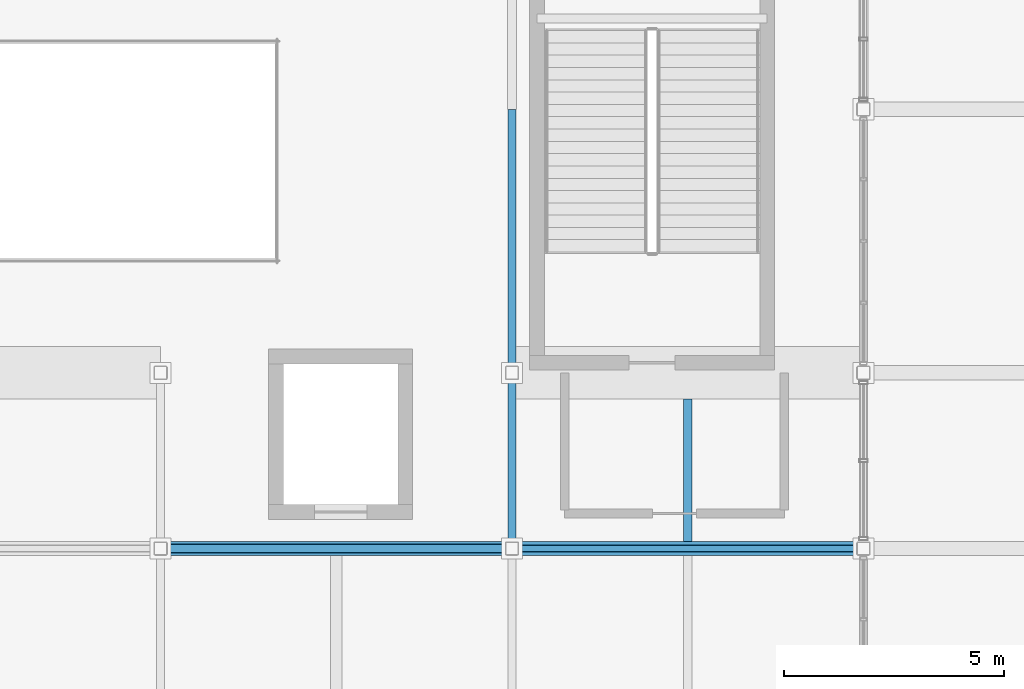
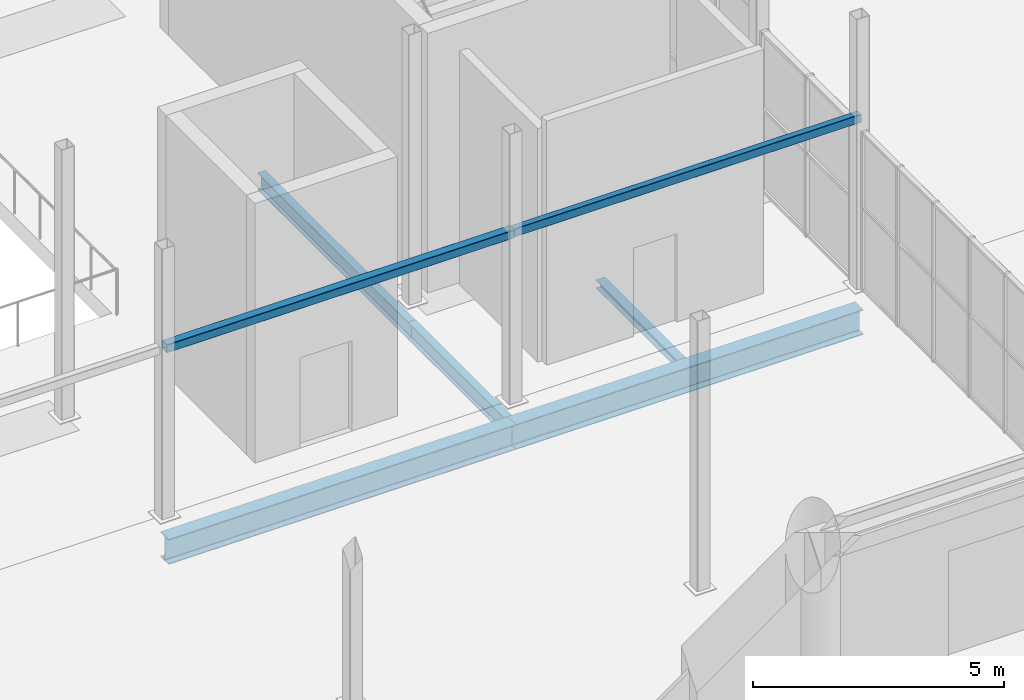
# One storey, part 32 of 140: 7 beams.
"""IFC4 building model written with IfcOpenShell, lengths in metres."""

from ifc_helpers import new_model, si_unit, direction, frame, origin, origin_2d, place, context, subcontext, project, spatial, hollow_rectangle, i_section, extrude, material, material_profile, profile_set, type_object, element, save


model = new_model("IFC4")

# Units and contexts
model_context = context("Model", 3, precision=1e-05, world=origin(), true_north=direction((0.0, 1.0)))
body_context = subcontext(model_context, "Body", "Model", "MODEL_VIEW")
ifc_project = project(units=[si_unit("LENGTHUNIT", "METRE"), si_unit("AREAUNIT", "SQUARE_METRE"), si_unit("VOLUMEUNIT", "CUBIC_METRE"), si_unit("PLANEANGLEUNIT", "RADIAN"), si_unit("MASSUNIT", "GRAM", prefix="KILO")], contexts=[model_context])

# Site, building, storey
site_placement = place(None, origin())
site = spatial("IfcSite", under=ifc_project, at=site_placement, CompositionType="ELEMENT")
building_placement = place(site_placement, origin())
building = spatial("IfcBuilding", under=site, at=building_placement, Name="Verrall Gate Interchange", CompositionType="ELEMENT")
storey_placement = place(building_placement, origin())
storey = spatial("IfcBuildingStorey", under=building, at=storey_placement, Name="L01", CompositionType="ELEMENT", Elevation=0.0)

# Beams
ifc_material_1 = material(Name="Structural Steel CSA G40.21 350WT Cat 4", Category="steel")
ifc_material_profile_1 = material_profile(ifc_material_1, i_section(OverallWidth=0.323974609375, OverallDepth=0.611083984375, WebThickness=0.0126953125, FlangeThickness=0.01904296875, FilletRadius=0.014892578125, at=origin_2d()), Name="W610x155")
ifc_profile_set_1 = profile_set([ifc_material_profile_1], Name="Structural Steel CSA G40.21 350WT Cat 4")
beam_type_1 = type_object("IfcBeamType", Name="B-08 Structural Beam W610x155", PredefinedType="BEAM", material=ifc_profile_set_1)
for number, where, z_axis, x_axis, name in (
    (1, (92.0, 12.0, -0.805419921875), (1.0, 0.0, 0.0), (0.0, 1.0, 0.0), "L01 Girder BM-L01-0777 (B-08)"),
    (2, (100.0, 12.0, -0.805419921875), (1.0, 0.0, 0.0), (0.0, 1.0, 0.0), "L01 Girder BM-L01-0778 (B-08)"),
):
    element("IfcBeam", number, at=place(storey_placement, frame(where, z_axis=z_axis, x_axis=x_axis)), inside=storey, type_object=beam_type_1, Name=name, PredefinedType="BEAM", context=body_context, shape_type="SweptSolid", body=[
        extrude(i_section(OverallWidth=0.323974609375, OverallDepth=0.611083984375, WebThickness=0.0126953125, FlangeThickness=0.01904296875, FilletRadius=0.014892578125, at=origin_2d()), origin(), (0.0, 0.0, 1.0), 8.0),
    ])
ifc_material_2 = material(Name="Structural Steel CSA G40.21 350W", Category="steel")
ifc_material_profile_2 = material_profile(ifc_material_2, i_section(OverallWidth=0.178955078125, OverallDepth=0.409912109375, WebThickness=0.0087890625, FlangeThickness=0.014404296875, FilletRadius=0.011962890625, at=origin_2d()), Name="W410x67")
ifc_profile_set_2 = profile_set([ifc_material_profile_2], Name="Structural Steel CSA G40.21 350W")
beam_type_2 = type_object("IfcBeamType", Name="B-12 Structural Beam W410x67", PredefinedType="BEAM", material=ifc_profile_set_2)
beam_1_placement = place(storey_placement, frame((100.0, 12.0, -0.705078125), z_axis=(0.0, 1.0, 0.0), x_axis=(-1.0, 0.0, 0.0)))
element("IfcBeam", 3, at=beam_1_placement, inside=storey, type_object=beam_type_2, Name="L01 Girder BM-L01-1160 (B-12)", PredefinedType="BEAM", context=body_context, shape_type="SweptSolid", body=[
    extrude(i_section(OverallWidth=0.178955078125, OverallDepth=0.409912109375, WebThickness=0.0087890625, FlangeThickness=0.014404296875, FilletRadius=0.011962890625, at=origin_2d()), origin(), (0.0, 0.0, 1.0), 4.0),
])
beam_2_placement = place(storey_placement, frame((100.0, 16.0, -0.705078125), z_axis=(0.0, 1.0, 0.0), x_axis=(-1.0, 0.0, 0.0)))
element("IfcBeam", 4, at=beam_2_placement, inside=storey, type_object=beam_type_2, Name="L01 Girder BM-L01-1161 (B-12)", PredefinedType="BEAM", context=body_context, shape_type="SweptSolid", body=[
    extrude(i_section(OverallWidth=0.178955078125, OverallDepth=0.409912109375, WebThickness=0.0087890625, FlangeThickness=0.014404296875, FilletRadius=0.011962890625, at=origin_2d()), origin(), (0.0, 0.0, 1.0), 6.0),
])
ifc_material_3 = material(Name="Structural Steel CSA G40.21 350W", Category="steel")
ifc_material_profile_3 = material_profile(ifc_material_3, i_section(OverallWidth=0.202880859375, OverallDepth=0.202880859375, WebThickness=0.007080078125, FlangeThickness=0.010986328125, FilletRadius=0.010009765625, at=origin_2d()), Name="W200x46")
ifc_profile_set_3 = profile_set([ifc_material_profile_3], Name="Structural Steel CSA G40.21 350W")
beam_type_3 = type_object("IfcBeamType", Name="J-07 Floor Joist W200x46", PredefinedType="JOIST", material=ifc_profile_set_3)
beam_3_placement = place(storey_placement, frame((104.0, 12.162109375, -0.6015625), z_axis=(0.0, 1.0, 0.0), x_axis=(-1.0, 0.0, 0.0)))
element("IfcBeam", 5, at=beam_3_placement, inside=storey, type_object=beam_type_3, Name="L01 Secondary Floor Joist JST-L01-1289", PredefinedType="JOIST", context=body_context, shape_type="SweptSolid", body=[
    extrude(i_section(OverallWidth=0.202880859375, OverallDepth=0.202880859375, WebThickness=0.007080078125, FlangeThickness=0.010986328125, FilletRadius=0.010009765625, at=origin_2d()), origin(), (0.0, 0.0, 1.0), 3.23779296875),
])
ifc_material_4 = material(Name="Structural Steel CSA G40.21 350W", Category="steel")
ifc_material_profile_4 = material_profile(ifc_material_4, hollow_rectangle(XDim=0.152099609375, YDim=0.202880859375, WallThickness=0.008056640625, InnerFilletRadius=0.008056640625, OuterFilletRadius=0.015869140625, at=origin_2d()), Name="HSS203x152x8.0")
ifc_profile_set_4 = profile_set([ifc_material_profile_4], Name="Structural Steel CSA G40.21 350W")
beam_type_4 = type_object("IfcBeamType", Name="LN-02 Portal Lintel HSS203x152x8.0", PredefinedType="LINTEL", material=ifc_profile_set_4)
beam_4_placement = place(storey_placement, frame((100.0, 12.0, 4.10009765625), z_axis=(1.0, 0.0, 0.0), x_axis=(0.0, 1.0, 0.0)))
element("IfcBeam", 6, at=beam_4_placement, inside=storey, type_object=beam_type_4, Name="Classical Portal Lintel 018", PredefinedType="LINTEL", context=body_context, shape_type="SweptSolid", body=[
    extrude(hollow_rectangle(XDim=0.152099609375, YDim=0.202880859375, WallThickness=0.008056640625, InnerFilletRadius=0.008056640625, OuterFilletRadius=0.015869140625, at=origin_2d()), origin(), (0.0, 0.0, 1.0), 8.0),
])
ifc_material_5 = material(Name="Structural Steel CSA G40.21 350W", Category="steel")
ifc_material_profile_5 = material_profile(ifc_material_5, hollow_rectangle(XDim=0.202880859375, YDim=0.202880859375, WallThickness=0.009521484375, InnerFilletRadius=0.009521484375, OuterFilletRadius=0.01904296875, at=origin_2d()), Name="HSS203x203x9.5")
ifc_profile_set_5 = profile_set([ifc_material_profile_5], Name="Structural Steel CSA G40.21 350W")
beam_type_5 = type_object("IfcBeamType", Name="LN-04 Portal Lintel HSS203x203x9.5", PredefinedType="LINTEL", material=ifc_profile_set_5)
beam_5_placement = place(storey_placement, frame((92.0, 12.0, 4.10009765625), z_axis=(1.0, 0.0, 0.0), x_axis=(0.0, 1.0, 0.0)))
element("IfcBeam", 7, at=beam_5_placement, inside=storey, type_object=beam_type_5, Name="Classical Portal Lintel 016", PredefinedType="LINTEL", context=body_context, shape_type="SweptSolid", body=[
    extrude(hollow_rectangle(XDim=0.202880859375, YDim=0.202880859375, WallThickness=0.009521484375, InnerFilletRadius=0.009521484375, OuterFilletRadius=0.01904296875, at=origin_2d()), origin(), (0.0, 0.0, 1.0), 8.0),
])

save(model, "model.ifc")
